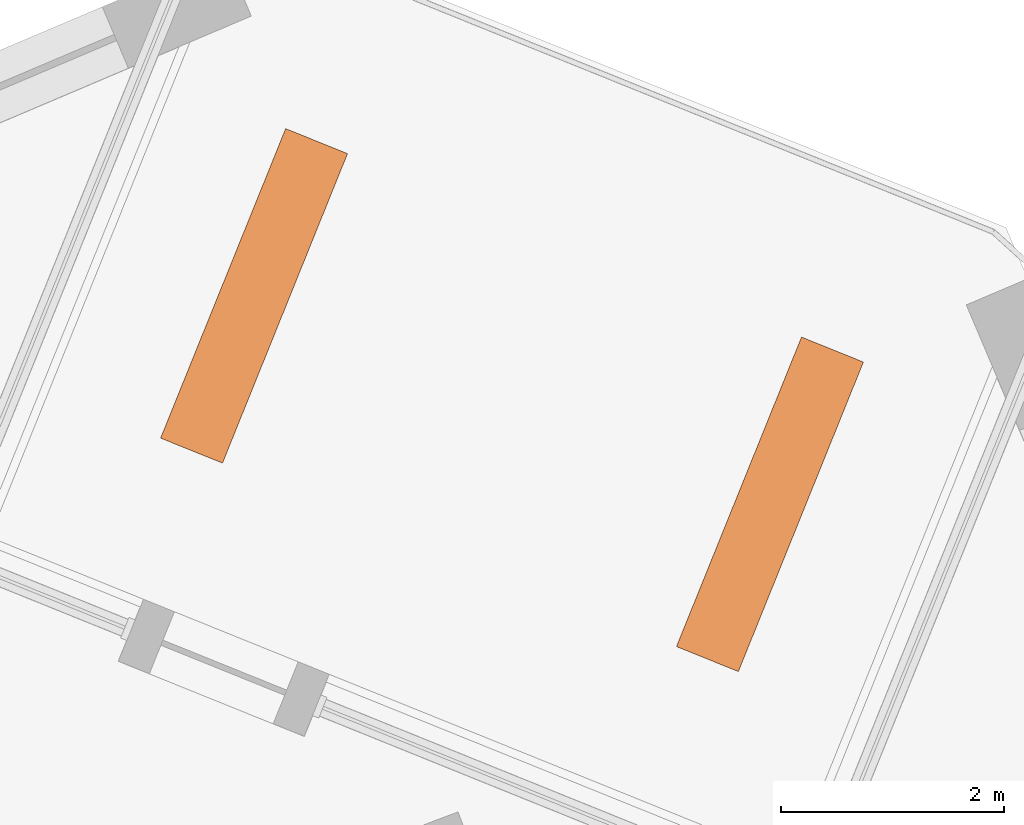
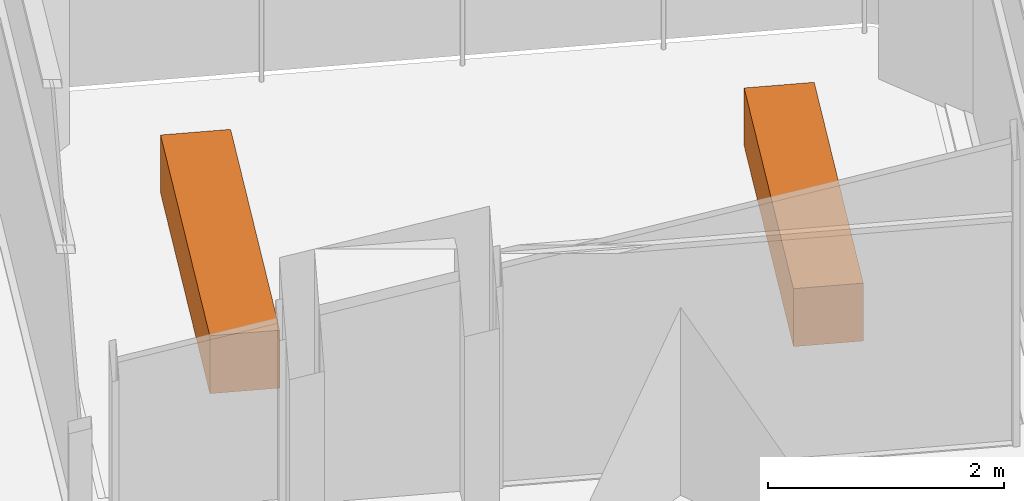
# One storey, part 12 of 12: 2 proxies.
"""IFC4 building model written with IfcOpenShell, lengths in metres."""

from ifc_helpers import new_model, si_unit, direction, frame, origin, origin_2d, place, context, subcontext, project, spatial, rectangle, extrude, element, save


model = new_model("IFC4")

# Units and contexts
model_context = context("Model", 3, precision=1e-05, world=origin(), true_north=direction((0.0, 1.0)))
body_context = subcontext(model_context, "Body", "Model", "MODEL_VIEW")
ifc_project = project(units=[si_unit("LENGTHUNIT", "METRE"), si_unit("AREAUNIT", "SQUARE_METRE"), si_unit("VOLUMEUNIT", "CUBIC_METRE"), si_unit("PLANEANGLEUNIT", "RADIAN"), si_unit("MASSUNIT", "GRAM", prefix="KILO")], contexts=[model_context])

# Site, building, storey
site_placement = place(None, origin())
site = spatial("IfcSite", under=ifc_project, at=site_placement, CompositionType="ELEMENT")
building_placement = place(site_placement, origin())
building = spatial("IfcBuilding", under=site, at=building_placement, Name="Dilmun Exchange Tower", CompositionType="ELEMENT")
storey_placement = place(building_placement, frame((0.0, 0.0, 118.10009765625)))
storey = spatial("IfcBuildingStorey", under=building, at=storey_placement, Name="L27", CompositionType="ELEMENT", Elevation=118.10009765625)

# Proxies
for number, where, z_axis, x_axis, name in (
    (1, (16.5068359375, 30.4072265625, -0.000244140625), (0.0, 0.0, 1.0), (0.374606593416, 0.927183854567, 0.0), "PLANTER Date palm L27.1"),
    (2, (11.87109375, 32.2802734375, -0.000244140625), (0.0, 0.0, 1.0), (0.374606593416, 0.927183854567, 0.0), "PLANTER Date palm L27.2"),
):
    element("IfcBuildingElementProxy", number, at=place(storey_placement, frame(where, z_axis=z_axis, x_axis=x_axis)), inside=storey, Name=name, ObjectType="PLANTER", PredefinedType="USERDEFINED", context=body_context, shape_type="SweptSolid", body=[
        extrude(rectangle(XDim=3.0, YDim=0.60009765625, at=origin_2d()), origin(), (0.0, 0.0, 1.0), 0.60009765625),
    ])

save(model, "model.ifc")
